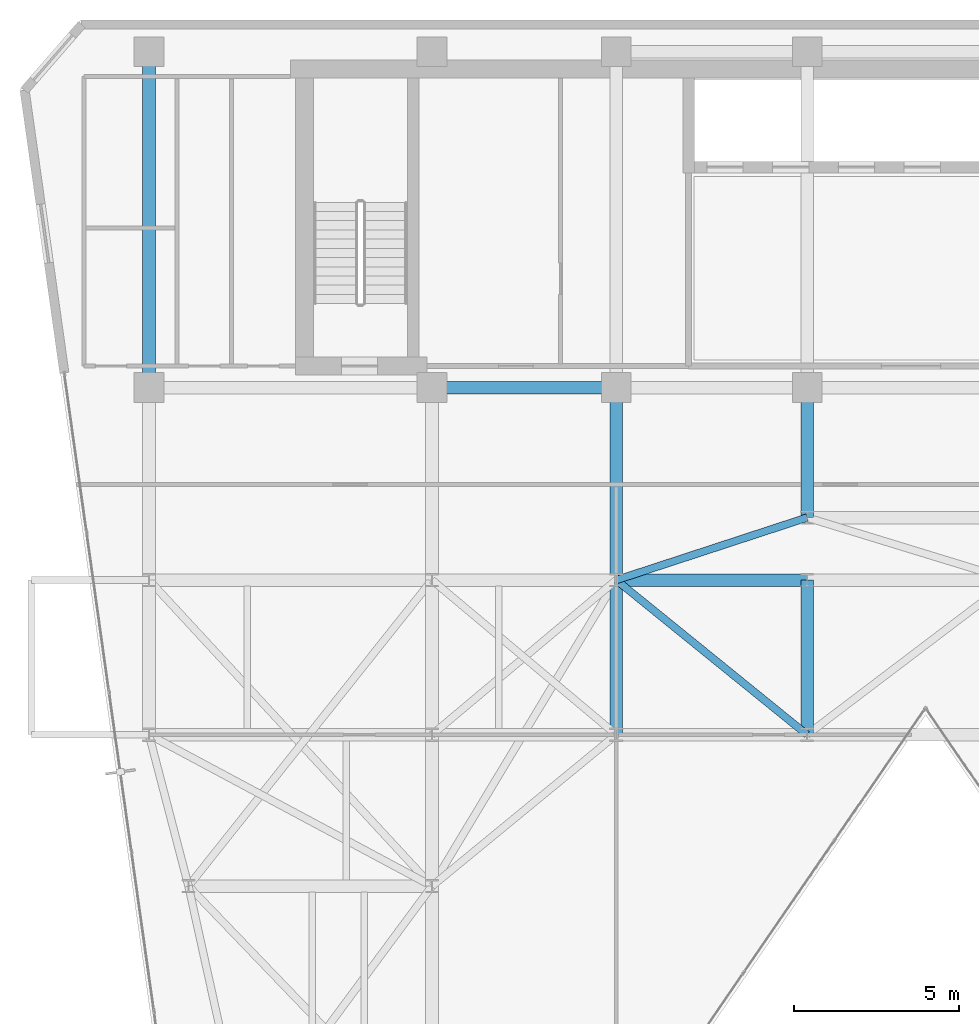
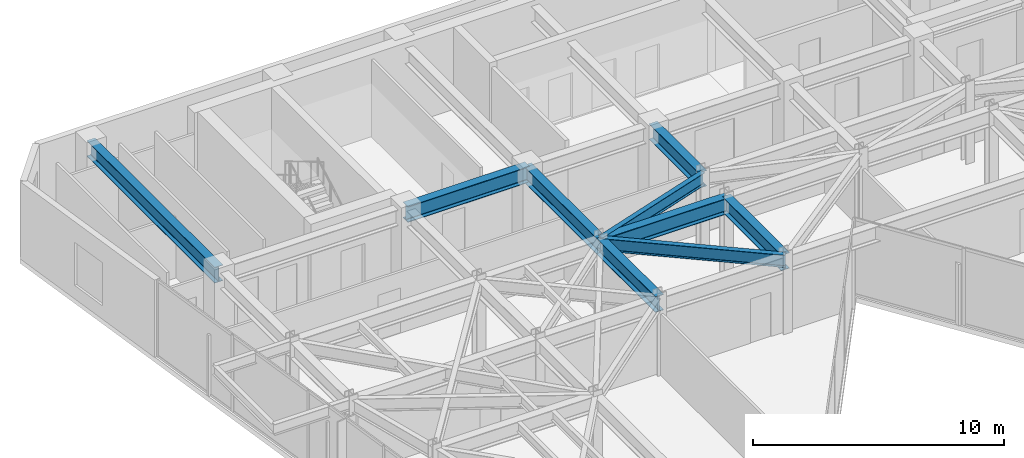
# One storey, part 13 of 26: 9 beams.
"""IFC4 building model written with IfcOpenShell, lengths in metres."""

from ifc_helpers import new_model, si_unit, direction, frame, origin, origin_2d, place, context, subcontext, project, spatial, i_section, extrude, material, material_profile, profile_set, type_object, element, save


model = new_model("IFC4")

# Units and contexts
model_context = context("Model", 3, precision=1e-05, world=origin(), true_north=direction((0.0, 1.0)))
body_context = subcontext(model_context, "Body", "Model", "MODEL_VIEW")
ifc_project = project(units=[si_unit("LENGTHUNIT", "METRE"), si_unit("AREAUNIT", "SQUARE_METRE"), si_unit("VOLUMEUNIT", "CUBIC_METRE"), si_unit("PLANEANGLEUNIT", "RADIAN"), si_unit("MASSUNIT", "GRAM", prefix="KILO")], contexts=[model_context])

# Site, building, storey
site_placement = place(None, origin())
site = spatial("IfcSite", under=ifc_project, at=site_placement, CompositionType="ELEMENT")
building_placement = place(site_placement, origin())
building = spatial("IfcBuilding", under=site, at=building_placement, Name="Kravanh Interchange Tower", CompositionType="ELEMENT")
storey_placement = place(building_placement, frame((0.0, 0.0, 204.5)))
storey = spatial("IfcBuildingStorey", under=building, at=storey_placement, Name="L49", CompositionType="ELEMENT", Elevation=204.5)

# Beams
ifc_material_1 = material(Name="Structural Steel S355", Category="steel")
ifc_material_profile_1 = material_profile(ifc_material_1, i_section(OverallWidth=0.381103515625, OverallDepth=0.77294921875, WebThickness=0.0166015625, FlangeThickness=0.027099609375, FilletRadius=0.02490234375, at=origin_2d()), Name="W30X173")
ifc_profile_set_1 = profile_set([ifc_material_profile_1], Name="Structural Steel S355")
beam_type_1 = type_object("IfcBeamType", Name="Floor Beam W30X173 Structural Steel S355", PredefinedType="BEAM", material=ifc_profile_set_1)
beam_1_placement = place(storey_placement, frame((38.60009765625, 37.35009765625, 3.368408203125), z_axis=(0.0, -1.0, 0.0), x_axis=(1.0, 0.0, 0.0)))
element("IfcBeam", 1, at=beam_1_placement, inside=storey, type_object=beam_type_1, Name="L49 Primary Floor Girder 16", PredefinedType="BEAM", context=body_context, shape_type="SweptSolid", body=[
    extrude(i_section(OverallWidth=0.381103515625, OverallDepth=0.77294921875, WebThickness=0.0166015625, FlangeThickness=0.027099609375, FilletRadius=0.02490234375, at=origin_2d()), origin(), (0.0, 0.0, 1.0), 3.9501953125),
])
beam_2_placement = place(storey_placement, frame((32.800048828125, 37.35009765625, 3.368408203125), z_axis=(-1.0, 0.0, 0.0), x_axis=(0.0, -1.0, 0.0)))
element("IfcBeam", 2, at=beam_2_placement, inside=storey, type_object=beam_type_1, Name="L49 Primary Floor Girder 20", PredefinedType="BEAM", context=body_context, shape_type="SweptSolid", body=[
    extrude(i_section(OverallWidth=0.381103515625, OverallDepth=0.77294921875, WebThickness=0.0166015625, FlangeThickness=0.027099609375, FilletRadius=0.02490234375, at=origin_2d()), origin(), (0.0, 0.0, 1.0), 5.60009765625),
])
beam_3_placement = place(storey_placement, frame((32.800048828125, 37.35009765625, 3.368408203125), z_axis=(0.0, -1.0, 0.0), x_axis=(1.0, 0.0, 0.0)))
element("IfcBeam", 3, at=beam_3_placement, inside=storey, type_object=beam_type_1, Name="L49 Primary Floor Girder 21", PredefinedType="BEAM", context=body_context, shape_type="SweptSolid", body=[
    extrude(i_section(OverallWidth=0.381103515625, OverallDepth=0.77294921875, WebThickness=0.0166015625, FlangeThickness=0.027099609375, FilletRadius=0.02490234375, at=origin_2d()), origin(), (0.0, 0.0, 1.0), 5.85009765625),
])
beam_4_placement = place(storey_placement, frame((18.60009765625, 37.35009765625, 3.368408203125), z_axis=(0.0, 1.0, 0.0), x_axis=(-1.0, 0.0, 0.0)))
element("IfcBeam", 4, at=beam_4_placement, inside=storey, type_object=beam_type_1, Name="L49 Primary Floor Girder 29", PredefinedType="BEAM", context=body_context, shape_type="SweptSolid", body=[
    extrude(i_section(OverallWidth=0.381103515625, OverallDepth=0.77294921875, WebThickness=0.0166015625, FlangeThickness=0.027099609375, FilletRadius=0.02490234375, at=origin_2d()), origin(), (0.0, 0.0, 1.0), 10.199951171875),
])
for number, where, z_axis, x_axis, name in (
    (5, (32.800048828125, 26.800048828125, 3.368408203125), (0.0, 1.0, 0.0), (-1.0, 0.0, 0.0), "L49 Primary Floor Girder 41"),
    (6, (38.60009765625, 26.800048828125, 3.368408203125), (0.0, 1.0, 0.0), (-1.0, 0.0, 0.0), "L49 Primary Floor Girder 45"),
):
    element("IfcBeam", number, at=place(storey_placement, frame(where, z_axis=z_axis, x_axis=x_axis)), inside=storey, type_object=beam_type_1, Name=name, PredefinedType="BEAM", context=body_context, shape_type="SweptSolid", body=[
        extrude(i_section(OverallWidth=0.381103515625, OverallDepth=0.77294921875, WebThickness=0.0166015625, FlangeThickness=0.027099609375, FilletRadius=0.02490234375, at=origin_2d()), origin(), (0.0, 0.0, 1.0), 4.699951171875),
    ])
beam_5_placement = place(storey_placement, frame((32.800048828125, 31.5, 3.368408203125), z_axis=(1.0, 0.0, 0.0), x_axis=(0.0, 1.0, 0.0)))
element("IfcBeam", 7, at=beam_5_placement, inside=storey, type_object=beam_type_1, Name="L49 Primary Floor Girder 67", PredefinedType="BEAM", context=body_context, shape_type="SweptSolid", body=[
    extrude(i_section(OverallWidth=0.381103515625, OverallDepth=0.77294921875, WebThickness=0.0166015625, FlangeThickness=0.027099609375, FilletRadius=0.02490234375, at=origin_2d()), origin(), (0.0, 0.0, 1.0), 5.800048828125),
])
ifc_material_2 = material(Name="Structural Steel S355", Category="steel")
ifc_material_profile_2 = material_profile(ifc_material_2, i_section(OverallWidth=0.22802734375, OverallDepth=0.60791015625, WebThickness=0.01123046875, FlangeThickness=0.017333984375, FilletRadius=0.02197265625, at=origin_2d()), Name="W24X76")
ifc_profile_set_2 = profile_set([ifc_material_profile_2], Name="Structural Steel S355")
beam_type_2 = type_object("IfcBeamType", Name="Floor Spandrel W24X76 Structural Steel S355", PredefinedType="SPANDREL", material=ifc_profile_set_2)
beam_6_placement = place(storey_placement, frame((38.60009765625, 26.800048828125, 3.450927734375), z_axis=(-0.776938619557, 0.629576350764, 0.0), x_axis=(-0.629576350764, -0.776938619557, 0.0)))
element("IfcBeam", 8, at=beam_6_placement, inside=storey, type_object=beam_type_2, Name="L49 Perimeter Spandrel 46", PredefinedType="SPANDREL", context=body_context, shape_type="SweptSolid", body=[
    extrude(i_section(OverallWidth=0.22802734375, OverallDepth=0.60791015625, WebThickness=0.01123046875, FlangeThickness=0.017333984375, FilletRadius=0.02197265625, at=origin_2d()), origin(), (0.0, 0.0, 1.0), 7.46533203125),
])
beam_7_placement = place(storey_placement, frame((32.800048828125, 31.5, 3.450927734375), z_axis=(0.950314536578, 0.31129131303, 0.0), x_axis=(-0.31129131303, 0.950314536578, 0.0)))
element("IfcBeam", 9, at=beam_7_placement, inside=storey, type_object=beam_type_2, Name="L49 Perimeter Spandrel 68", PredefinedType="SPANDREL", context=body_context, shape_type="SweptSolid", body=[
    extrude(i_section(OverallWidth=0.22802734375, OverallDepth=0.60791015625, WebThickness=0.01123046875, FlangeThickness=0.017333984375, FilletRadius=0.02197265625, at=origin_2d()), origin(), (0.0, 0.0, 1.0), 6.103271484375),
])

save(model, "model.ifc")
